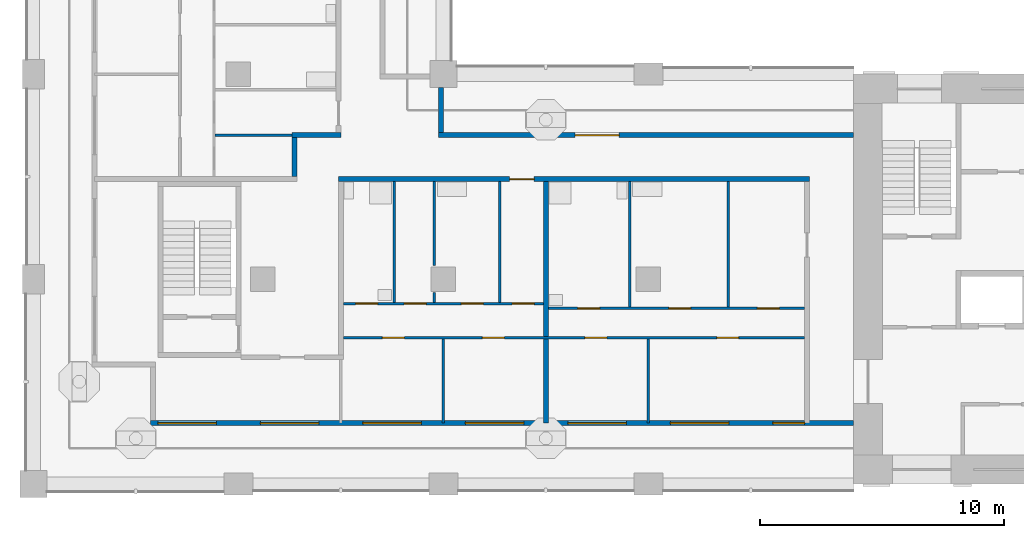
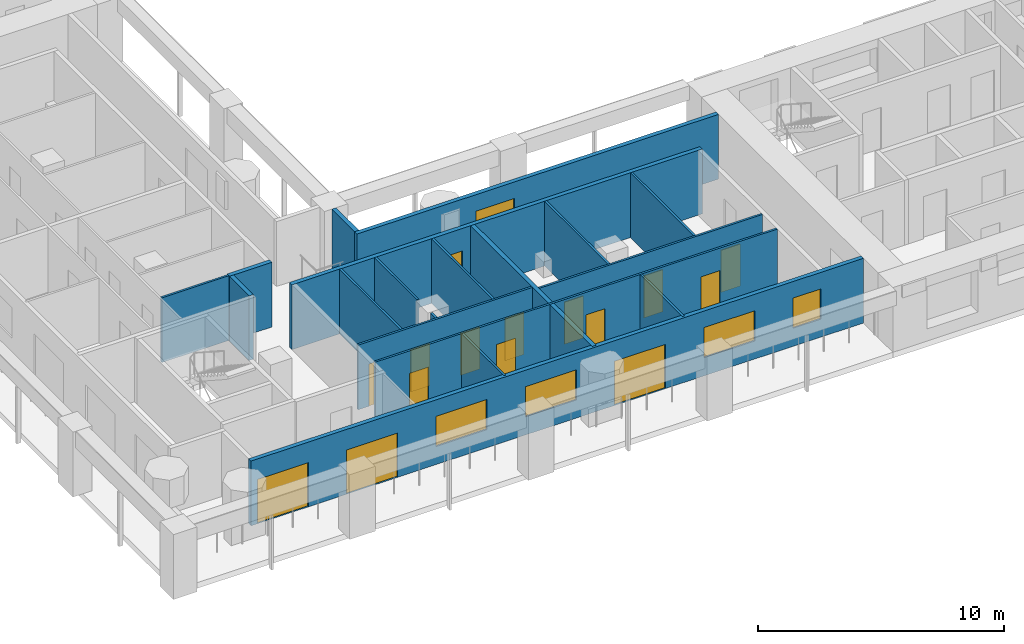
# One storey, part 2 of 13: 19 walls, 16 doors, 4 windows, 20 openings.
"""IFC4 building model written with IfcOpenShell, lengths in metres."""

from ifc_helpers import new_model, si_unit, direction, frame, frame_2d, origin, place, context, subcontext, project, spatial, rectangle, extrude, material, layer, layer_set, type_object, element, fill, save


model = new_model("IFC4")

# Units and contexts
model_context = context("Model", 3, precision=1e-05, world=origin(), true_north=direction((0.0, 1.0)))
body_context = subcontext(model_context, "Body", "Model", "MODEL_VIEW")
ifc_project = project(units=[si_unit("LENGTHUNIT", "METRE"), si_unit("AREAUNIT", "SQUARE_METRE"), si_unit("VOLUMEUNIT", "CUBIC_METRE"), si_unit("PLANEANGLEUNIT", "RADIAN"), si_unit("MASSUNIT", "GRAM", prefix="KILO")], contexts=[model_context])

# Site, building, storey
site_placement = place(None, origin())
site = spatial("IfcSite", under=ifc_project, at=site_placement, CompositionType="ELEMENT")
building_placement = place(site_placement, origin())
building = spatial("IfcBuilding", under=site, at=building_placement, Name="Vermilion Gate Residences", CompositionType="ELEMENT")
storey_placement = place(building_placement, frame((0.0, 0.0, 182.699951171875)))
storey = spatial("IfcBuildingStorey", under=building, at=storey_placement, Name="L47", CompositionType="ELEMENT", Elevation=182.699951171875)

# Wall, openings, doors, windows
ifc_material_1 = material(Name="Insulated steel stud wall with terracotta rainscreen", Category="masonry")
ifc_layer_1 = layer(ifc_material_1, 0.199951171875)
ifc_layer_set_1 = layer_set([ifc_layer_1], Name="EXTERNAL WALL 200 TERRACOTTA RAINSCREEN")
wall_type_1 = type_object("IfcWallType", Name="EXTERNAL WALL 200 TERRACOTTA RAINSCREEN", PredefinedType="SOLIDWALL", material=ifc_layer_set_1)
wall_1_placement = place(storey_placement, frame((13.199951171875, 10.89990234375, 0.0), z_axis=(0.0, 0.0, 1.0), x_axis=(1.0, 0.0, 0.0)))
wall_1 = element("IfcWall", 1, at=wall_1_placement, inside=storey, type_object=wall_type_1, Name="External wall", PredefinedType="SOLIDWALL", context=body_context, shape_type="SweptSolid", body=[
    extrude(rectangle(XDim=28.800048828125, YDim=0.199951171875, at=frame_2d((14.39990234375, 0.0))), origin(), (0.0, 0.0, 1.0), 3.219970703125),
])
opening_1_placement = place(wall_1_placement, frame((0.300048828125, 0.0, 0.0)))
opening_1 = element("IfcOpeningElement", 2, at=opening_1_placement, cuts=wall_1, Name="Opening DE47008", PredefinedType="OPENING", context=body_context, shape_type="SweptSolid", body=[
    extrude(rectangle(XDim=2.39990234375, YDim=2.199951171875, at=frame_2d((1.199951171875, 1.10009765625))), frame((0.0, 0.10986328125, 0.0), z_axis=(0.0, -1.0, 0.0), x_axis=(1.0, 0.0, 0.0)), (0.0, 0.0, 1.0), 0.219970703125),
])
opening_2_placement = place(wall_1_placement, frame((4.5, 0.0, 0.0)))
opening_2 = element("IfcOpeningElement", 3, at=opening_2_placement, cuts=wall_1, Name="Opening DE47009", PredefinedType="OPENING", context=body_context, shape_type="SweptSolid", body=[
    extrude(rectangle(XDim=2.39990234375, YDim=2.199951171875, at=frame_2d((1.199951171875, 1.10009765625))), frame((0.0, 0.10986328125, 0.0), z_axis=(0.0, -1.0, 0.0), x_axis=(1.0, 0.0, 0.0)), (0.0, 0.0, 1.0), 0.219970703125),
])
opening_3_placement = place(wall_1_placement, frame((8.699951171875, 0.0, 0.89990234375)))
opening_3 = element("IfcOpeningElement", 4, at=opening_3_placement, cuts=wall_1, Name="Opening WE47010", PredefinedType="OPENING", context=body_context, shape_type="SweptSolid", body=[
    extrude(rectangle(XDim=2.39990234375, YDim=1.5, at=frame_2d((1.199951171875, 0.75))), frame((0.0, 0.10986328125, 0.0), z_axis=(0.0, -1.0, 0.0), x_axis=(1.0, 0.0, 0.0)), (0.0, 0.0, 1.0), 0.219970703125),
])
opening_4_placement = place(wall_1_placement, frame((12.89990234375, 0.0, 0.89990234375)))
opening_4 = element("IfcOpeningElement", 5, at=opening_4_placement, cuts=wall_1, Name="Opening WE47011", PredefinedType="OPENING", context=body_context, shape_type="SweptSolid", body=[
    extrude(rectangle(XDim=2.39990234375, YDim=1.5, at=frame_2d((1.199951171875, 0.75))), frame((0.0, 0.10986328125, 0.0), z_axis=(0.0, -1.0, 0.0), x_axis=(1.0, 0.0, 0.0)), (0.0, 0.0, 1.0), 0.219970703125),
])
opening_5_placement = place(wall_1_placement, frame((17.10009765625, 0.0, 0.0)))
opening_5 = element("IfcOpeningElement", 6, at=opening_5_placement, cuts=wall_1, Name="Opening DE47012", PredefinedType="OPENING", context=body_context, shape_type="SweptSolid", body=[
    extrude(rectangle(XDim=2.39990234375, YDim=2.199951171875, at=frame_2d((1.199951171875, 1.10009765625))), frame((0.0, 0.10986328125, 0.0), z_axis=(0.0, -1.0, 0.0), x_axis=(1.0, 0.0, 0.0)), (0.0, 0.0, 1.0), 0.219970703125),
])
opening_6_placement = place(wall_1_placement, frame((21.300048828125, 0.0, 0.89990234375)))
opening_6 = element("IfcOpeningElement", 7, at=opening_6_placement, cuts=wall_1, Name="Opening WE47013", PredefinedType="OPENING", context=body_context, shape_type="SweptSolid", body=[
    extrude(rectangle(XDim=2.39990234375, YDim=1.5, at=frame_2d((1.199951171875, 0.75))), frame((0.0, 0.10986328125, 0.0), z_axis=(0.0, -1.0, 0.0), x_axis=(1.0, 0.0, 0.0)), (0.0, 0.0, 1.0), 0.219970703125),
])
opening_7_placement = place(wall_1_placement, frame((25.5, 0.0, 0.89990234375)))
opening_7 = element("IfcOpeningElement", 8, at=opening_7_placement, cuts=wall_1, Name="Opening WE47014", PredefinedType="OPENING", context=body_context, shape_type="SweptSolid", body=[
    extrude(rectangle(XDim=1.300048828125, YDim=1.5, at=frame_2d((0.64990234375, 0.75))), frame((0.0, 0.10986328125, 0.0), z_axis=(0.0, -1.0, 0.0), x_axis=(1.0, 0.0, 0.0)), (0.0, 0.0, 1.0), 0.219970703125),
])
ifc_material_2 = material(Name="Aluminium and clear glass", Category="aluminium")
door_type_1 = type_object("IfcDoorType", Name="SLIDING GLAZED DOOR 2400 X 2200", OperationType="DOUBLE_DOOR_SLIDING", PredefinedType="DOOR", material=ifc_material_2)
door_1_placement = place(opening_1_placement, origin())
door_1 = element("IfcDoor", 9, at=door_1_placement, inside=storey, type_object=door_type_1, Name="Loggia sliding door", OperationType="DOUBLE_DOOR_SLIDING", OverallHeight=2.199951171875, OverallWidth=2.39990234375, PredefinedType="DOOR", context=body_context, shape_type="SweptSolid", body=[
    extrude(rectangle(XDim=2.39990234375, YDim=2.199951171875, at=frame_2d((1.199951171875, 1.10009765625))), frame((0.0, 0.02490234375, 0.0), z_axis=(0.0, -1.0, 0.0), x_axis=(1.0, 0.0, 0.0)), (0.0, 0.0, 1.0), 0.050048828125),
])
fill(opening_1, door_1)
door_2_placement = place(opening_2_placement, origin())
door_2 = element("IfcDoor", 10, at=door_2_placement, inside=storey, type_object=door_type_1, Name="Loggia sliding door", OperationType="DOUBLE_DOOR_SLIDING", OverallHeight=2.199951171875, OverallWidth=2.39990234375, PredefinedType="DOOR", context=body_context, shape_type="SweptSolid", body=[
    extrude(rectangle(XDim=2.39990234375, YDim=2.199951171875, at=frame_2d((1.199951171875, 1.10009765625))), frame((0.0, 0.02490234375, 0.0), z_axis=(0.0, -1.0, 0.0), x_axis=(1.0, 0.0, 0.0)), (0.0, 0.0, 1.0), 0.050048828125),
])
fill(opening_2, door_2)
door_3_placement = place(opening_5_placement, origin())
door_3 = element("IfcDoor", 11, at=door_3_placement, inside=storey, type_object=door_type_1, Name="Loggia sliding door", OperationType="DOUBLE_DOOR_SLIDING", OverallHeight=2.199951171875, OverallWidth=2.39990234375, PredefinedType="DOOR", context=body_context, shape_type="SweptSolid", body=[
    extrude(rectangle(XDim=2.39990234375, YDim=2.199951171875, at=frame_2d((1.199951171875, 1.10009765625))), frame((0.0, 0.02490234375, 0.0), z_axis=(0.0, -1.0, 0.0), x_axis=(1.0, 0.0, 0.0)), (0.0, 0.0, 1.0), 0.050048828125),
])
fill(opening_5, door_3)
ifc_material_3 = material(Name="Aluminium and clear glass", Category="aluminium")
window_type_1 = type_object("IfcWindowType", Name="WINDOW 1300 X 1500", PartitioningType="SINGLE_PANEL", PredefinedType="WINDOW", material=ifc_material_3)
window_1_placement = place(opening_7_placement, origin())
window_1 = element("IfcWindow", 12, at=window_1_placement, inside=storey, type_object=window_type_1, Name="Window", OverallHeight=1.5, OverallWidth=1.300048828125, PartitioningType="SINGLE_PANEL", PredefinedType="WINDOW", context=body_context, shape_type="SweptSolid", body=[
    extrude(rectangle(XDim=1.300048828125, YDim=1.5, at=frame_2d((0.64990234375, 0.75))), frame((0.0, 0.030029296875, 0.0), z_axis=(0.0, -1.0, 0.0), x_axis=(1.0, 0.0, 0.0)), (0.0, 0.0, 1.0), 0.06005859375),
])
fill(opening_7, window_1)
ifc_material_4 = material(Name="Aluminium and clear glass", Category="aluminium")
window_type_2 = type_object("IfcWindowType", Name="WINDOW 2400 X 1500", PartitioningType="SINGLE_PANEL", PredefinedType="WINDOW", material=ifc_material_4)
window_2_placement = place(opening_3_placement, origin())
window_2 = element("IfcWindow", 13, at=window_2_placement, inside=storey, type_object=window_type_2, Name="Window", OverallHeight=1.5, OverallWidth=2.39990234375, PartitioningType="SINGLE_PANEL", PredefinedType="WINDOW", context=body_context, shape_type="SweptSolid", body=[
    extrude(rectangle(XDim=2.39990234375, YDim=1.5, at=frame_2d((1.199951171875, 0.75))), frame((0.0, 0.030029296875, 0.0), z_axis=(0.0, -1.0, 0.0), x_axis=(1.0, 0.0, 0.0)), (0.0, 0.0, 1.0), 0.06005859375),
])
fill(opening_3, window_2)
window_3_placement = place(opening_4_placement, origin())
window_3 = element("IfcWindow", 14, at=window_3_placement, inside=storey, type_object=window_type_2, Name="Window", OverallHeight=1.5, OverallWidth=2.39990234375, PartitioningType="SINGLE_PANEL", PredefinedType="WINDOW", context=body_context, shape_type="SweptSolid", body=[
    extrude(rectangle(XDim=2.39990234375, YDim=1.5, at=frame_2d((1.199951171875, 0.75))), frame((0.0, 0.030029296875, 0.0), z_axis=(0.0, -1.0, 0.0), x_axis=(1.0, 0.0, 0.0)), (0.0, 0.0, 1.0), 0.06005859375),
])
fill(opening_4, window_3)
window_4_placement = place(opening_6_placement, origin())
window_4 = element("IfcWindow", 15, at=window_4_placement, inside=storey, type_object=window_type_2, Name="Window", OverallHeight=1.5, OverallWidth=2.39990234375, PartitioningType="SINGLE_PANEL", PredefinedType="WINDOW", context=body_context, shape_type="SweptSolid", body=[
    extrude(rectangle(XDim=2.39990234375, YDim=1.5, at=frame_2d((1.199951171875, 0.75))), frame((0.0, 0.030029296875, 0.0), z_axis=(0.0, -1.0, 0.0), x_axis=(1.0, 0.0, 0.0)), (0.0, 0.0, 1.0), 0.06005859375),
])
fill(opening_6, window_4)

# Wall, opening, door
wall_2_placement = place(storey_placement, frame((42.0, 22.699951171875, 0.0), z_axis=(0.0, 0.0, 1.0), x_axis=(-1.0, 0.0, 0.0)))
wall_2 = element("IfcWall", 16, at=wall_2_placement, inside=storey, type_object=wall_type_1, Name="External wall", PredefinedType="SOLIDWALL", context=body_context, shape_type="SweptSolid", body=[
    extrude(rectangle(XDim=17.0, YDim=0.199951171875, at=frame_2d((8.5, 0.0))), origin(), (0.0, 0.0, 1.0), 3.219970703125),
])
opening_8_placement = place(wall_2_placement, frame((9.60009765625, 0.0, 0.0)))
opening_8 = element("IfcOpeningElement", 17, at=opening_8_placement, cuts=wall_2, Name="Opening DE47020", PredefinedType="OPENING", context=body_context, shape_type="SweptSolid", body=[
    extrude(rectangle(XDim=1.800048828125, YDim=2.39990234375, at=frame_2d((0.89990234375, 1.199951171875))), frame((0.0, 0.10986328125, 0.0), z_axis=(0.0, -1.0, 0.0), x_axis=(1.0, 0.0, 0.0)), (0.0, 0.0, 1.0), 0.219970703125),
])
ifc_material_5 = material(Name="Aluminium and clear glass", Category="aluminium")
door_type_2 = type_object("IfcDoorType", Name="GLAZED EXTERNAL DOOR 1800 X 2400", OperationType="DOUBLE_DOOR_SINGLE_SWING", PredefinedType="DOOR", material=ifc_material_5)
door_4_placement = place(opening_8_placement, frame((1.800048828125, 0.0, 0.0), z_axis=(0.0, 0.0, 1.0), x_axis=(-1.0, 0.0, 0.0)))
door_4 = element("IfcDoor", 18, at=door_4_placement, inside=storey, type_object=door_type_2, Name="Gallery door", OperationType="DOUBLE_DOOR_SINGLE_SWING", OverallHeight=2.39990234375, OverallWidth=1.800048828125, PredefinedType="DOOR", context=body_context, shape_type="SweptSolid", body=[
    extrude(rectangle(XDim=1.800048828125, YDim=2.39990234375, at=frame_2d((0.89990234375, 1.199951171875))), frame((0.0, 0.02490234375, 0.0), z_axis=(0.0, -1.0, 0.0), x_axis=(1.0, 0.0, 0.0)), (0.0, 0.0, 1.0), 0.050048828125),
])
fill(opening_8, door_4)

# Wall
wall_3_placement = place(storey_placement, frame((25.10009765625, 22.800048828125, 0.0), z_axis=(0.0, 0.0, 1.0), x_axis=(0.0, 1.0, 0.0)))
element("IfcWall", 19, at=wall_3_placement, inside=storey, type_object=wall_type_1, Name="External wall", PredefinedType="SOLIDWALL", context=body_context, shape_type="SweptSolid", body=[
    extrude(rectangle(XDim=1.849853515625, YDim=0.199951171875, at=frame_2d((0.9248046875, 0.0))), origin(), (0.0, 0.0, 1.0), 3.219970703125),
])

# Wall, openings, doors
ifc_material_6 = material(Name="Plasterboard on steel studs", Category="steel")
ifc_layer_2 = layer(ifc_material_6, 0.10009765625)
ifc_layer_set_2 = layer_set([ifc_layer_2], Name="PARTITION 100")
wall_type_2 = type_object("IfcWallType", Name="PARTITION 100", PredefinedType="PARTITIONING", material=ifc_layer_set_2)
wall_4_placement = place(storey_placement, frame((21.10009765625, 14.39990234375, 0.0), z_axis=(0.0, 0.0, 1.0), x_axis=(1.0, 0.0, 0.0)))
wall_4 = element("IfcWall", 20, at=wall_4_placement, inside=storey, type_object=wall_type_2, Name="Partition", PredefinedType="PARTITIONING", context=body_context, shape_type="SweptSolid", body=[
    extrude(rectangle(XDim=18.89990234375, YDim=0.10009765625, at=frame_2d((9.449951171875, 0.0))), origin(), (0.0, 0.0, 1.0), 3.219970703125),
])
opening_9_placement = place(wall_4_placement, frame((1.60009765625, 0.0, 0.0)))
opening_9 = element("IfcOpeningElement", 21, at=opening_9_placement, cuts=wall_4, Name="Opening DA46002", PredefinedType="OPENING", context=body_context, shape_type="SweptSolid", body=[
    extrude(rectangle(XDim=0.89990234375, YDim=2.10009765625, at=frame_2d((0.449951171875, 1.050048828125))), frame((0.0, 0.06005859375, 0.0), z_axis=(0.0, -1.0, 0.0), x_axis=(1.0, 0.0, 0.0)), (0.0, 0.0, 1.0), 0.1201171875),
])
opening_10_placement = place(wall_4_placement, frame((5.699951171875, 0.0, 0.0)))
opening_10 = element("IfcOpeningElement", 22, at=opening_10_placement, cuts=wall_4, Name="Opening DA46003", PredefinedType="OPENING", context=body_context, shape_type="SweptSolid", body=[
    extrude(rectangle(XDim=0.89990234375, YDim=2.10009765625, at=frame_2d((0.449951171875, 1.050048828125))), frame((0.0, 0.06005859375, 0.0), z_axis=(0.0, -1.0, 0.0), x_axis=(1.0, 0.0, 0.0)), (0.0, 0.0, 1.0), 0.1201171875),
])
opening_11_placement = place(wall_4_placement, frame((9.89990234375, 0.0, 0.0)))
opening_11 = element("IfcOpeningElement", 23, at=opening_11_placement, cuts=wall_4, Name="Opening DA46004", PredefinedType="OPENING", context=body_context, shape_type="SweptSolid", body=[
    extrude(rectangle(XDim=0.89990234375, YDim=2.10009765625, at=frame_2d((0.449951171875, 1.050048828125))), frame((0.0, 0.06005859375, 0.0), z_axis=(0.0, -1.0, 0.0), x_axis=(1.0, 0.0, 0.0)), (0.0, 0.0, 1.0), 0.1201171875),
])
opening_12_placement = place(wall_4_placement, frame((15.300048828125, 0.0, 0.0)))
opening_12 = element("IfcOpeningElement", 24, at=opening_12_placement, cuts=wall_4, Name="Opening DA46005", PredefinedType="OPENING", context=body_context, shape_type="SweptSolid", body=[
    extrude(rectangle(XDim=0.89990234375, YDim=2.10009765625, at=frame_2d((0.449951171875, 1.050048828125))), frame((0.0, 0.06005859375, 0.0), z_axis=(0.0, -1.0, 0.0), x_axis=(1.0, 0.0, 0.0)), (0.0, 0.0, 1.0), 0.1201171875),
])
ifc_material_7 = material(Name="Timber", Category="wood")
door_type_3 = type_object("IfcDoorType", Name="INTERIOR DOOR 900 X 2100", OperationType="SINGLE_SWING_LEFT", PredefinedType="DOOR", material=ifc_material_7)
door_5_placement = place(opening_9_placement, frame((0.89990234375, 0.0, 0.0), z_axis=(0.0, 0.0, 1.0), x_axis=(-1.0, 0.0, 0.0)))
door_5 = element("IfcDoor", 25, at=door_5_placement, inside=storey, type_object=door_type_3, Name="Interior door", OperationType="SINGLE_SWING_LEFT", OverallHeight=2.10009765625, OverallWidth=0.89990234375, PredefinedType="DOOR", context=body_context, shape_type="SweptSolid", body=[
    extrude(rectangle(XDim=0.89990234375, YDim=2.10009765625, at=frame_2d((0.449951171875, 1.050048828125))), frame((0.0, 0.02490234375, 0.0), z_axis=(0.0, -1.0, 0.0), x_axis=(1.0, 0.0, 0.0)), (0.0, 0.0, 1.0), 0.050048828125),
])
fill(opening_9, door_5)
door_6_placement = place(opening_10_placement, frame((0.89990234375, 0.0, 0.0), z_axis=(0.0, 0.0, 1.0), x_axis=(-1.0, 0.0, 0.0)))
door_6 = element("IfcDoor", 26, at=door_6_placement, inside=storey, type_object=door_type_3, Name="Interior door", OperationType="SINGLE_SWING_RIGHT", OverallHeight=2.10009765625, OverallWidth=0.89990234375, PredefinedType="DOOR", context=body_context, shape_type="SweptSolid", body=[
    extrude(rectangle(XDim=0.89990234375, YDim=2.10009765625, at=frame_2d((0.449951171875, 1.050048828125))), frame((0.0, 0.02490234375, 0.0), z_axis=(0.0, -1.0, 0.0), x_axis=(1.0, 0.0, 0.0)), (0.0, 0.0, 1.0), 0.050048828125),
])
fill(opening_10, door_6)
door_7_placement = place(opening_11_placement, frame((0.89990234375, 0.0, 0.0), z_axis=(0.0, 0.0, 1.0), x_axis=(-1.0, 0.0, 0.0)))
door_7 = element("IfcDoor", 27, at=door_7_placement, inside=storey, type_object=door_type_3, Name="Interior door", OperationType="SINGLE_SWING_RIGHT", OverallHeight=2.10009765625, OverallWidth=0.89990234375, PredefinedType="DOOR", context=body_context, shape_type="SweptSolid", body=[
    extrude(rectangle(XDim=0.89990234375, YDim=2.10009765625, at=frame_2d((0.449951171875, 1.050048828125))), frame((0.0, 0.02490234375, 0.0), z_axis=(0.0, -1.0, 0.0), x_axis=(1.0, 0.0, 0.0)), (0.0, 0.0, 1.0), 0.050048828125),
])
fill(opening_11, door_7)
door_8_placement = place(opening_12_placement, frame((0.89990234375, 0.0, 0.0), z_axis=(0.0, 0.0, 1.0), x_axis=(-1.0, 0.0, 0.0)))
door_8 = element("IfcDoor", 28, at=door_8_placement, inside=storey, type_object=door_type_3, Name="Interior door", OperationType="SINGLE_SWING_LEFT", OverallHeight=2.10009765625, OverallWidth=0.89990234375, PredefinedType="DOOR", context=body_context, shape_type="SweptSolid", body=[
    extrude(rectangle(XDim=0.89990234375, YDim=2.10009765625, at=frame_2d((0.449951171875, 1.050048828125))), frame((0.0, 0.02490234375, 0.0), z_axis=(0.0, -1.0, 0.0), x_axis=(1.0, 0.0, 0.0)), (0.0, 0.0, 1.0), 0.050048828125),
])
fill(opening_12, door_8)

wall_5_placement = place(storey_placement, frame((29.5, 15.60009765625, 0.0), z_axis=(0.0, 0.0, 1.0), x_axis=(1.0, 0.0, 0.0)))
wall_5 = element("IfcWall", 29, at=wall_5_placement, inside=storey, type_object=wall_type_2, Name="Partition", PredefinedType="PARTITIONING", context=body_context, shape_type="SweptSolid", body=[
    extrude(rectangle(XDim=10.5, YDim=0.10009765625, at=frame_2d((5.25, 0.0))), origin(), (0.0, 0.0, 1.0), 3.219970703125),
])
opening_13_placement = place(wall_5_placement, frame((8.56689453125, 0.0, 0.0)))
opening_13 = element("IfcOpeningElement", 30, at=opening_13_placement, cuts=wall_5, Name="Opening DA46006", PredefinedType="OPENING", context=body_context, shape_type="SweptSolid", body=[
    extrude(rectangle(XDim=0.89990234375, YDim=2.10009765625, at=frame_2d((0.449951171875, 1.050048828125))), frame((0.0, 0.06005859375, 0.0), z_axis=(0.0, -1.0, 0.0), x_axis=(1.0, 0.0, 0.0)), (0.0, 0.0, 1.0), 0.1201171875),
])
opening_14_placement = place(wall_5_placement, frame((1.199951171875, 0.0, 0.0)))
opening_14 = element("IfcOpeningElement", 31, at=opening_14_placement, cuts=wall_5, Name="Opening DA46007", PredefinedType="OPENING", context=body_context, shape_type="SweptSolid", body=[
    extrude(rectangle(XDim=0.89990234375, YDim=2.10009765625, at=frame_2d((0.449951171875, 1.050048828125))), frame((0.0, 0.06005859375, 0.0), z_axis=(0.0, -1.0, 0.0), x_axis=(1.0, 0.0, 0.0)), (0.0, 0.0, 1.0), 0.1201171875),
])
opening_15_placement = place(wall_5_placement, frame((4.93310546875, 0.0, 0.0)))
opening_15 = element("IfcOpeningElement", 32, at=opening_15_placement, cuts=wall_5, Name="Opening DA46008", PredefinedType="OPENING", context=body_context, shape_type="SweptSolid", body=[
    extrude(rectangle(XDim=0.89990234375, YDim=2.10009765625, at=frame_2d((0.449951171875, 1.050048828125))), frame((0.0, 0.06005859375, 0.0), z_axis=(0.0, -1.0, 0.0), x_axis=(1.0, 0.0, 0.0)), (0.0, 0.0, 1.0), 0.1201171875),
])
door_9_placement = place(opening_13_placement, frame((0.89990234375, 0.0, 0.0), z_axis=(0.0, 0.0, 1.0), x_axis=(-1.0, 0.0, 0.0)))
door_9 = element("IfcDoor", 33, at=door_9_placement, inside=storey, type_object=door_type_3, Name="Interior door", OperationType="SINGLE_SWING_LEFT", OverallHeight=2.10009765625, OverallWidth=0.89990234375, PredefinedType="DOOR", context=body_context, shape_type="SweptSolid", body=[
    extrude(rectangle(XDim=0.89990234375, YDim=2.10009765625, at=frame_2d((0.449951171875, 1.050048828125))), frame((0.0, 0.02490234375, 0.0), z_axis=(0.0, -1.0, 0.0), x_axis=(1.0, 0.0, 0.0)), (0.0, 0.0, 1.0), 0.050048828125),
])
fill(opening_13, door_9)
door_10_placement = place(opening_14_placement, origin())
door_10 = element("IfcDoor", 34, at=door_10_placement, inside=storey, type_object=door_type_3, Name="Interior door", OperationType="SINGLE_SWING_LEFT", OverallHeight=2.10009765625, OverallWidth=0.89990234375, PredefinedType="DOOR", context=body_context, shape_type="SweptSolid", body=[
    extrude(rectangle(XDim=0.89990234375, YDim=2.10009765625, at=frame_2d((0.449951171875, 1.050048828125))), frame((0.0, 0.02490234375, 0.0), z_axis=(0.0, -1.0, 0.0), x_axis=(1.0, 0.0, 0.0)), (0.0, 0.0, 1.0), 0.050048828125),
])
fill(opening_14, door_10)
door_11_placement = place(opening_15_placement, origin())
door_11 = element("IfcDoor", 35, at=door_11_placement, inside=storey, type_object=door_type_3, Name="Interior door", OperationType="SINGLE_SWING_RIGHT", OverallHeight=2.10009765625, OverallWidth=0.89990234375, PredefinedType="DOOR", context=body_context, shape_type="SweptSolid", body=[
    extrude(rectangle(XDim=0.89990234375, YDim=2.10009765625, at=frame_2d((0.449951171875, 1.050048828125))), frame((0.0, 0.02490234375, 0.0), z_axis=(0.0, -1.0, 0.0), x_axis=(1.0, 0.0, 0.0)), (0.0, 0.0, 1.0), 0.050048828125),
])
fill(opening_15, door_11)

wall_6_placement = place(storey_placement, frame((21.10009765625, 15.800048828125, 0.0), z_axis=(0.0, 0.0, 1.0), x_axis=(1.0, 0.0, 0.0)))
wall_6 = element("IfcWall", 36, at=wall_6_placement, inside=storey, type_object=wall_type_2, Name="Partition", PredefinedType="PARTITIONING", context=body_context, shape_type="SweptSolid", body=[
    extrude(rectangle(XDim=8.199951171875, YDim=0.10009765625, at=frame_2d((4.10009765625, 0.0))), origin(), (0.0, 0.0, 1.0), 3.219970703125),
])
opening_16_placement = place(wall_6_placement, frame((6.916015625, 0.0, 0.0)))
opening_16 = element("IfcOpeningElement", 37, at=opening_16_placement, cuts=wall_6, Name="Opening DA46009", PredefinedType="OPENING", context=body_context, shape_type="SweptSolid", body=[
    extrude(rectangle(XDim=0.89990234375, YDim=2.10009765625, at=frame_2d((0.449951171875, 1.050048828125))), frame((0.0, 0.06005859375, 0.0), z_axis=(0.0, -1.0, 0.0), x_axis=(1.0, 0.0, 0.0)), (0.0, 0.0, 1.0), 0.1201171875),
])
opening_17_placement = place(wall_6_placement, frame((0.5, 0.0, 0.0)))
opening_17 = element("IfcOpeningElement", 38, at=opening_17_placement, cuts=wall_6, Name="Opening DA46010", PredefinedType="OPENING", context=body_context, shape_type="SweptSolid", body=[
    extrude(rectangle(XDim=0.89990234375, YDim=2.10009765625, at=frame_2d((0.449951171875, 1.050048828125))), frame((0.0, 0.06005859375, 0.0), z_axis=(0.0, -1.0, 0.0), x_axis=(1.0, 0.0, 0.0)), (0.0, 0.0, 1.0), 0.1201171875),
])
opening_18_placement = place(wall_6_placement, frame((2.489990234375, 0.0, 0.0)))
opening_18 = element("IfcOpeningElement", 39, at=opening_18_placement, cuts=wall_6, Name="Opening DA46011", PredefinedType="OPENING", context=body_context, shape_type="SweptSolid", body=[
    extrude(rectangle(XDim=0.89990234375, YDim=2.10009765625, at=frame_2d((0.449951171875, 1.050048828125))), frame((0.0, 0.06005859375, 0.0), z_axis=(0.0, -1.0, 0.0), x_axis=(1.0, 0.0, 0.0)), (0.0, 0.0, 1.0), 0.1201171875),
])
opening_19_placement = place(wall_6_placement, frame((4.83203125, 0.0, 0.0)))
opening_19 = element("IfcOpeningElement", 40, at=opening_19_placement, cuts=wall_6, Name="Opening DA46012", PredefinedType="OPENING", context=body_context, shape_type="SweptSolid", body=[
    extrude(rectangle(XDim=0.89990234375, YDim=2.10009765625, at=frame_2d((0.449951171875, 1.050048828125))), frame((0.0, 0.06005859375, 0.0), z_axis=(0.0, -1.0, 0.0), x_axis=(1.0, 0.0, 0.0)), (0.0, 0.0, 1.0), 0.1201171875),
])
door_12_placement = place(opening_16_placement, origin())
door_12 = element("IfcDoor", 41, at=door_12_placement, inside=storey, type_object=door_type_3, Name="Interior door", OperationType="SINGLE_SWING_RIGHT", OverallHeight=2.10009765625, OverallWidth=0.89990234375, PredefinedType="DOOR", context=body_context, shape_type="SweptSolid", body=[
    extrude(rectangle(XDim=0.89990234375, YDim=2.10009765625, at=frame_2d((0.449951171875, 1.050048828125))), frame((0.0, 0.02490234375, 0.0), z_axis=(0.0, -1.0, 0.0), x_axis=(1.0, 0.0, 0.0)), (0.0, 0.0, 1.0), 0.050048828125),
])
fill(opening_16, door_12)
door_13_placement = place(opening_17_placement, origin())
door_13 = element("IfcDoor", 42, at=door_13_placement, inside=storey, type_object=door_type_3, Name="Interior door", OperationType="SINGLE_SWING_RIGHT", OverallHeight=2.10009765625, OverallWidth=0.89990234375, PredefinedType="DOOR", context=body_context, shape_type="SweptSolid", body=[
    extrude(rectangle(XDim=0.89990234375, YDim=2.10009765625, at=frame_2d((0.449951171875, 1.050048828125))), frame((0.0, 0.02490234375, 0.0), z_axis=(0.0, -1.0, 0.0), x_axis=(1.0, 0.0, 0.0)), (0.0, 0.0, 1.0), 0.050048828125),
])
fill(opening_17, door_13)
door_14_placement = place(opening_18_placement, origin())
door_14 = element("IfcDoor", 43, at=door_14_placement, inside=storey, type_object=door_type_3, Name="Interior door", OperationType="SINGLE_SWING_RIGHT", OverallHeight=2.10009765625, OverallWidth=0.89990234375, PredefinedType="DOOR", context=body_context, shape_type="SweptSolid", body=[
    extrude(rectangle(XDim=0.89990234375, YDim=2.10009765625, at=frame_2d((0.449951171875, 1.050048828125))), frame((0.0, 0.02490234375, 0.0), z_axis=(0.0, -1.0, 0.0), x_axis=(1.0, 0.0, 0.0)), (0.0, 0.0, 1.0), 0.050048828125),
])
fill(opening_18, door_14)
door_15_placement = place(opening_19_placement, origin())
door_15 = element("IfcDoor", 44, at=door_15_placement, inside=storey, type_object=door_type_3, Name="Interior door", OperationType="SINGLE_SWING_RIGHT", OverallHeight=2.10009765625, OverallWidth=0.89990234375, PredefinedType="DOOR", context=body_context, shape_type="SweptSolid", body=[
    extrude(rectangle(XDim=0.89990234375, YDim=2.10009765625, at=frame_2d((0.449951171875, 1.050048828125))), frame((0.0, 0.02490234375, 0.0), z_axis=(0.0, -1.0, 0.0), x_axis=(1.0, 0.0, 0.0)), (0.0, 0.0, 1.0), 0.050048828125),
])
fill(opening_19, door_15)

# Walls
wall_7_placement = place(storey_placement, frame((15.85009765625, 22.699951171875, 0.0), z_axis=(0.0, 0.0, 1.0), x_axis=(1.0, 0.0, 0.0)))
element("IfcWall", 45, at=wall_7_placement, inside=storey, type_object=wall_type_2, Name="Partition", PredefinedType="PARTITIONING", context=body_context, shape_type="SweptSolid", body=[
    extrude(rectangle(XDim=3.14990234375, YDim=0.10009765625, at=frame_2d((1.574951171875, 0.0))), origin(), (0.0, 0.0, 1.0), 3.219970703125),
])
wall_8_placement = place(storey_placement, frame((23.18994140625, 15.85009765625, 0.0), z_axis=(0.0, 0.0, 1.0), x_axis=(0.0, 1.0, 0.0)))
element("IfcWall", 46, at=wall_8_placement, inside=storey, type_object=wall_type_2, Name="Partition", PredefinedType="PARTITIONING", context=body_context, shape_type="SweptSolid", body=[
    extrude(rectangle(XDim=4.949951171875, YDim=0.10009765625, at=frame_2d((2.47509765625, 0.0))), origin(), (0.0, 0.0, 1.0), 3.219970703125),
])
wall_9_placement = place(storey_placement, frame((24.83203125, 15.85009765625, 0.0), z_axis=(0.0, 0.0, 1.0), x_axis=(0.0, 1.0, 0.0)))
element("IfcWall", 47, at=wall_9_placement, inside=storey, type_object=wall_type_2, Name="Partition", PredefinedType="PARTITIONING", context=body_context, shape_type="SweptSolid", body=[
    extrude(rectangle(XDim=0.39990234375, YDim=0.10009765625, at=frame_2d((0.199951171875, 0.0))), origin(), (0.0, 0.0, 1.0), 3.219970703125),
])
wall_10_placement = place(storey_placement, frame((24.83203125, 17.35009765625, 0.0), z_axis=(0.0, 0.0, 1.0), x_axis=(0.0, 1.0, 0.0)))
element("IfcWall", 48, at=wall_10_placement, inside=storey, type_object=wall_type_2, Name="Partition", PredefinedType="PARTITIONING", context=body_context, shape_type="SweptSolid", body=[
    extrude(rectangle(XDim=3.449951171875, YDim=0.10009765625, at=frame_2d((1.72509765625, 0.0))), origin(), (0.0, 0.0, 1.0), 3.219970703125),
])
wall_11_placement = place(storey_placement, frame((25.199951171875, 10.89990234375, 0.0), z_axis=(0.0, 0.0, 1.0), x_axis=(0.0, 1.0, 0.0)))
element("IfcWall", 49, at=wall_11_placement, inside=storey, type_object=wall_type_2, Name="Partition", PredefinedType="PARTITIONING", context=body_context, shape_type="SweptSolid", body=[
    extrude(rectangle(XDim=3.4501953125, YDim=0.10009765625, at=frame_2d((1.72509765625, 0.0))), origin(), (0.0, 0.0, 1.0), 3.219970703125),
])
wall_12_placement = place(storey_placement, frame((27.51611328125, 15.85009765625, 0.0), z_axis=(0.0, 0.0, 1.0), x_axis=(0.0, 1.0, 0.0)))
element("IfcWall", 50, at=wall_12_placement, inside=storey, type_object=wall_type_2, Name="Partition", PredefinedType="PARTITIONING", context=body_context, shape_type="SweptSolid", body=[
    extrude(rectangle(XDim=4.949951171875, YDim=0.10009765625, at=frame_2d((2.47509765625, 0.0))), origin(), (0.0, 0.0, 1.0), 3.219970703125),
])
wall_13_placement = place(storey_placement, frame((32.8330078125, 15.64990234375, 0.0), z_axis=(0.0, 0.0, 1.0), x_axis=(0.0, 1.0, 0.0)))
element("IfcWall", 51, at=wall_13_placement, inside=storey, type_object=wall_type_2, Name="Partition", PredefinedType="PARTITIONING", context=body_context, shape_type="SweptSolid", body=[
    extrude(rectangle(XDim=5.150146484375, YDim=0.10009765625, at=frame_2d((2.5751953125, 0.0))), origin(), (0.0, 0.0, 1.0), 3.219970703125),
])
wall_14_placement = place(storey_placement, frame((33.60009765625, 10.89990234375, 0.0), z_axis=(0.0, 0.0, 1.0), x_axis=(0.0, 1.0, 0.0)))
element("IfcWall", 52, at=wall_14_placement, inside=storey, type_object=wall_type_2, Name="Partition", PredefinedType="PARTITIONING", context=body_context, shape_type="SweptSolid", body=[
    extrude(rectangle(XDim=3.4501953125, YDim=0.10009765625, at=frame_2d((1.72509765625, 0.0))), origin(), (0.0, 0.0, 1.0), 3.219970703125),
])
wall_15_placement = place(storey_placement, frame((36.866943359375, 15.64990234375, 0.0), z_axis=(0.0, 0.0, 1.0), x_axis=(0.0, 1.0, 0.0)))
element("IfcWall", 53, at=wall_15_placement, inside=storey, type_object=wall_type_2, Name="Partition", PredefinedType="PARTITIONING", context=body_context, shape_type="SweptSolid", body=[
    extrude(rectangle(XDim=5.150146484375, YDim=0.10009765625, at=frame_2d((2.5751953125, 0.0))), origin(), (0.0, 0.0, 1.0), 3.219970703125),
])

# Wall, opening, door
ifc_material_8 = material(Name="Fire-rated plasterboard on steel studs", Category="steel")
ifc_layer_3 = layer(ifc_material_8, 0.199951171875)
ifc_layer_set_3 = layer_set([ifc_layer_3], Name="PARTY WALL 200 EI 120")
wall_type_3 = type_object("IfcWallType", Name="PARTY WALL 200 EI 120", PredefinedType="PARTITIONING", material=ifc_layer_set_3)
wall_16_placement = place(storey_placement, frame((20.89990234375, 20.89990234375, 0.0), z_axis=(0.0, 0.0, 1.0), x_axis=(1.0, 0.0, 0.0)))
wall_16 = element("IfcWall", 54, at=wall_16_placement, inside=storey, type_object=wall_type_3, Name="Party and corridor wall", PredefinedType="PARTITIONING", context=body_context, shape_type="SweptSolid", body=[
    extrude(rectangle(XDim=19.300048828125, YDim=0.199951171875, at=frame_2d((9.64990234375, 0.0))), origin(), (0.0, 0.0, 1.0), 3.219970703125),
])
opening_20_placement = place(wall_16_placement, frame((7.01611328125, 0.0, 0.0)))
opening_20 = element("IfcOpeningElement", 55, at=opening_20_placement, cuts=wall_16, Name="Opening DA46013", PredefinedType="OPENING", context=body_context, shape_type="SweptSolid", body=[
    extrude(rectangle(XDim=1.0, YDim=2.10009765625, at=frame_2d((0.5, 1.050048828125))), frame((0.0, 0.10986328125, 0.0), z_axis=(0.0, -1.0, 0.0), x_axis=(1.0, 0.0, 0.0)), (0.0, 0.0, 1.0), 0.219970703125),
])
ifc_material_9 = material(Name="Steel", Category="steel")
door_type_4 = type_object("IfcDoorType", Name="ENTRANCE DOOR 1000 X 2100 FD30", OperationType="SINGLE_SWING_LEFT", PredefinedType="DOOR", material=ifc_material_9)
door_16_placement = place(opening_20_placement, frame((1.0, 0.0, 0.0), z_axis=(0.0, 0.0, 1.0), x_axis=(-1.0, 0.0, 0.0)))
door_16 = element("IfcDoor", 56, at=door_16_placement, inside=storey, type_object=door_type_4, Name="Entrance door", OperationType="SINGLE_SWING_RIGHT", OverallHeight=2.10009765625, OverallWidth=1.0, PredefinedType="DOOR", context=body_context, shape_type="SweptSolid", body=[
    extrude(rectangle(XDim=1.0, YDim=2.10009765625, at=frame_2d((0.5, 1.050048828125))), frame((0.0, 0.02490234375, 0.0), z_axis=(0.0, -1.0, 0.0), x_axis=(1.0, 0.0, 0.0)), (0.0, 0.0, 1.0), 0.050048828125),
])
fill(opening_20, door_16)

# Walls
wall_17_placement = place(storey_placement, frame((19.0, 22.699951171875, 0.0), z_axis=(0.0, 0.0, 1.0), x_axis=(1.0, 0.0, 0.0)))
element("IfcWall", 57, at=wall_17_placement, inside=storey, type_object=wall_type_3, Name="Party and corridor wall", PredefinedType="PARTITIONING", context=body_context, shape_type="SweptSolid", body=[
    extrude(rectangle(XDim=2.0, YDim=0.199951171875, at=frame_2d((1.0, 0.0))), origin(), (0.0, 0.0, 1.0), 3.219970703125),
])
wall_18_placement = place(storey_placement, frame((19.10009765625, 21.0, 0.0), z_axis=(0.0, 0.0, 1.0), x_axis=(0.0, 1.0, 0.0)))
element("IfcWall", 58, at=wall_18_placement, inside=storey, type_object=wall_type_3, Name="Party and corridor wall", PredefinedType="PARTITIONING", context=body_context, shape_type="SweptSolid", body=[
    extrude(rectangle(XDim=1.60009765625, YDim=0.199951171875, at=frame_2d((0.800048828125, 0.0))), origin(), (0.0, 0.0, 1.0), 3.219970703125),
])
wall_19_placement = place(storey_placement, frame((29.39990234375, 10.89990234375, 0.0), z_axis=(0.0, 0.0, 1.0), x_axis=(0.0, 1.0, 0.0)))
element("IfcWall", 59, at=wall_19_placement, inside=storey, type_object=wall_type_3, Name="Party and corridor wall", PredefinedType="PARTITIONING", context=body_context, shape_type="SweptSolid", body=[
    extrude(rectangle(XDim=9.900146484375, YDim=0.199951171875, at=frame_2d((4.9501953125, 0.0))), origin(), (0.0, 0.0, 1.0), 3.219970703125),
])

save(model, "model.ifc")
